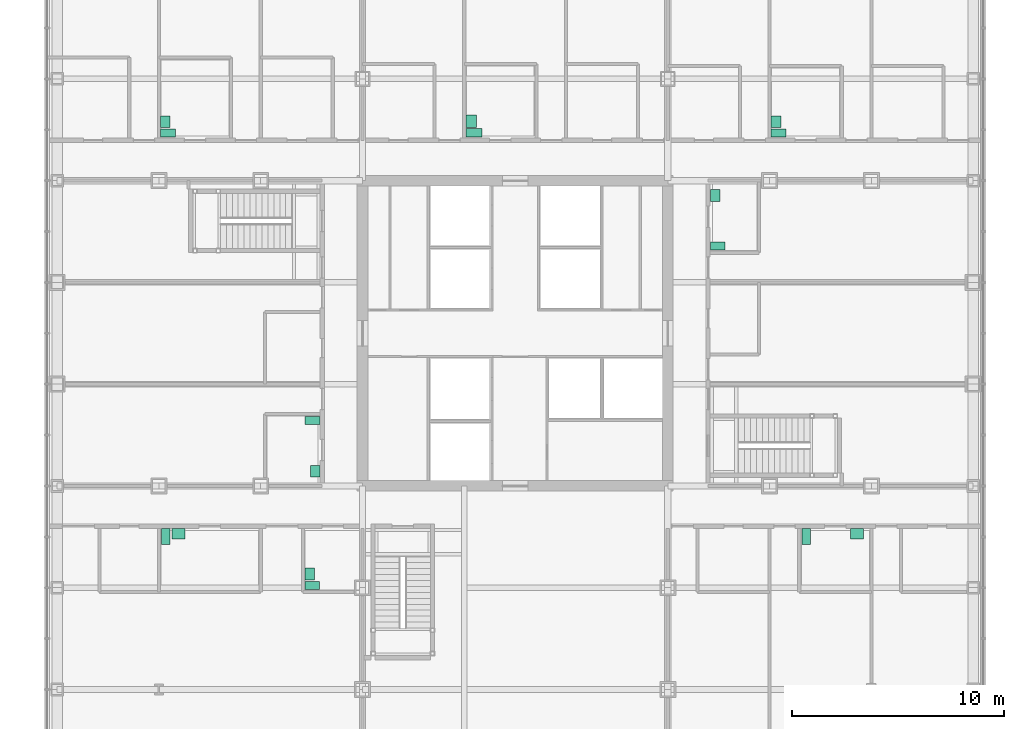
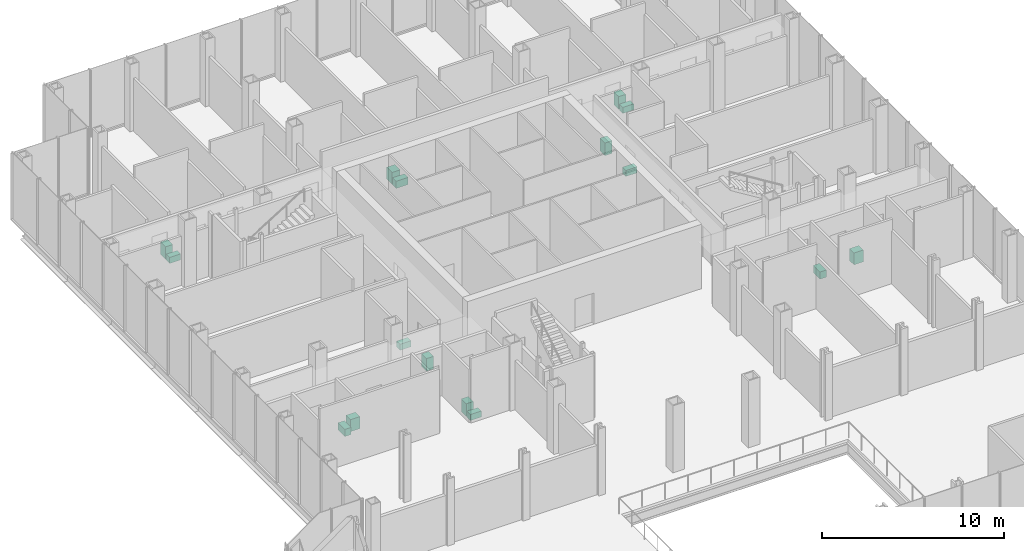
# One storey, part 25 of 25: 16 sanitary terminals.
"""IFC4 building model written with IfcOpenShell, lengths in metres."""

from ifc_helpers import new_model, si_unit, direction, frame, origin, origin_2d, place, context, subcontext, project, spatial, rectangle, extrude, material, type_object, element, save


model = new_model("IFC4")

# Units and contexts
model_context = context("Model", 3, precision=1e-05, world=origin(), true_north=direction((0.0, 1.0)))
body_context = subcontext(model_context, "Body", "Model", "MODEL_VIEW")
ifc_project = project(units=[si_unit("LENGTHUNIT", "METRE"), si_unit("AREAUNIT", "SQUARE_METRE"), si_unit("VOLUMEUNIT", "CUBIC_METRE"), si_unit("PLANEANGLEUNIT", "RADIAN"), si_unit("MASSUNIT", "GRAM", prefix="KILO")], contexts=[model_context])

# Site, building, storey
site_placement = place(None, origin())
site = spatial("IfcSite", under=ifc_project, at=site_placement, CompositionType="ELEMENT")
building_placement = place(site_placement, origin())
building = spatial("IfcBuilding", under=site, at=building_placement, Name="Kvirike Care Tower", CompositionType="ELEMENT")
storey_placement = place(building_placement, frame((0.0, 0.0, 13.5)))
storey = spatial("IfcBuildingStorey", under=building, at=storey_placement, Name="L03", CompositionType="ELEMENT", Elevation=13.5)

# Sanitary terminals
ifc_material_1 = material(Name="Vitreous china", Category="ceramic")
sanitary_terminal_type_1 = type_object("IfcSanitaryTerminalType", Name="ACCESSIBLE WASH BASIN 600 x 500", PredefinedType="WASHHANDBASIN", material=ifc_material_1)
for number, where, z_axis, x_axis, name in (
    (1, (5.72509765625, 26.548095703125, 0.02001953125), (0.0, 0.0, 1.0), (1.0, 0.0, 0.0), "Accessible wash basin L03-004"),
    (2, (19.527099609375, 46.0, 0.02001953125), (0.0, 0.0, 1.0), (0.0, 1.0, 0.0), "Accessible wash basin L03-027"),
    (3, (37.72509765625, 26.548095703125, 0.02001953125), (0.0, 0.0, 1.0), (1.0, 0.0, 0.0), "Accessible wash basin L03-034"),
):
    element("IfcSanitaryTerminal", number, at=place(storey_placement, frame(where, z_axis=z_axis, x_axis=x_axis)), inside=storey, type_object=sanitary_terminal_type_1, Name=name, PredefinedType="WASHHANDBASIN", context=body_context, shape_type="SweptSolid", body=[
        extrude(rectangle(XDim=0.60009765625, YDim=0.5, at=origin_2d()), origin(), (0.0, 0.0, 1.0), 0.800048828125),
    ])
ifc_material_2 = material(Name="Vitreous china", Category="ceramic")
sanitary_terminal_type_2 = type_object("IfcSanitaryTerminalType", Name="ACCESSIBLE WC PAN 400 x 750", PredefinedType="TOILETPAN", material=ifc_material_2)
for number, where, z_axis, x_axis, name in (
    (4, (5.125, 26.423095703125, 0.02001953125), (0.0, 0.0, 1.0), (1.0, 0.0, 0.0), "Accessible WC pan L03-004"),
    (5, (19.652099609375, 45.449951171875, 0.02001953125), (0.0, 0.0, 1.0), (0.0, 1.0, 0.0), "Accessible WC pan L03-027"),
    (6, (35.324951171875, 26.423095703125, 0.02001953125), (0.0, 0.0, 1.0), (1.0, 0.0, 0.0), "Accessible WC pan L03-034"),
):
    element("IfcSanitaryTerminal", number, at=place(storey_placement, frame(where, z_axis=z_axis, x_axis=x_axis)), inside=storey, type_object=sanitary_terminal_type_2, Name=name, PredefinedType="TOILETPAN", context=body_context, shape_type="SweptSolid", body=[
        extrude(rectangle(XDim=0.39990234375, YDim=0.75, at=origin_2d()), origin(), (0.0, 0.0, 1.0), 0.47998046875),
    ])
ifc_material_3 = material(Name="Vitreous china", Category="ceramic")
sanitary_terminal_type_3 = type_object("IfcSanitaryTerminalType", Name="WASH BASIN 550 x 450", PredefinedType="WASHHANDBASIN", material=ifc_material_3)
for number, where, z_axis, x_axis, name in (
    (7, (11.902099609375, 24.64990234375, 0.02001953125), (0.0, 0.0, 1.0), (0.0, 1.0, 0.0), "Wash basin L03-005"),
    (8, (12.173095703125, 29.5, 0.02001953125), (0.0, 0.0, 1.0), (0.0, -1.0, 0.0), "Wash basin L03-012"),
    (9, (5.10205078125, 45.97509765625, 0.02001953125), (0.0, 0.0, 1.0), (0.0, 1.0, 0.0), "Wash basin L03-018"),
    (10, (31.027099609375, 42.5, 0.02001953125), (0.0, 0.0, 1.0), (0.0, 1.0, 0.0), "Wash basin L03-042"),
    (11, (33.902099609375, 45.97509765625, 0.02001953125), (0.0, 0.0, 1.0), (0.0, 1.0, 0.0), "Wash basin L03-048"),
):
    element("IfcSanitaryTerminal", number, at=place(storey_placement, frame(where, z_axis=z_axis, x_axis=x_axis)), inside=storey, type_object=sanitary_terminal_type_3, Name=name, PredefinedType="WASHHANDBASIN", context=body_context, shape_type="SweptSolid", body=[
        extrude(rectangle(XDim=0.550048828125, YDim=0.449951171875, at=origin_2d()), origin(), (0.0, 0.0, 1.0), 0.85009765625),
    ])
ifc_material_4 = material(Name="Vitreous china", Category="ceramic")
sanitary_terminal_type_4 = type_object("IfcSanitaryTerminalType", Name="WC PAN 380 x 700", PredefinedType="TOILETPAN", material=ifc_material_4)
for number, where, z_axis, x_axis, name in (
    (12, (12.027099609375, 24.114990234375, 0.02001953125), (0.0, 0.0, 1.0), (0.0, 1.0, 0.0), "WC pan L03-005"),
    (13, (12.048095703125, 31.885009765625, 0.02001953125), (0.0, 0.0, 1.0), (0.0, -1.0, 0.0), "WC pan L03-012"),
    (14, (5.22705078125, 45.43994140625, 0.02001953125), (0.0, 0.0, 1.0), (0.0, 1.0, 0.0), "WC pan L03-018"),
    (15, (31.152099609375, 40.114990234375, 0.02001953125), (0.0, 0.0, 1.0), (0.0, 1.0, 0.0), "WC pan L03-042"),
    (16, (34.027099609375, 45.43994140625, 0.02001953125), (0.0, 0.0, 1.0), (0.0, 1.0, 0.0), "WC pan L03-048"),
):
    element("IfcSanitaryTerminal", number, at=place(storey_placement, frame(where, z_axis=z_axis, x_axis=x_axis)), inside=storey, type_object=sanitary_terminal_type_4, Name=name, PredefinedType="TOILETPAN", context=body_context, shape_type="SweptSolid", body=[
        extrude(rectangle(XDim=0.3798828125, YDim=0.699951171875, at=origin_2d()), origin(), (0.0, 0.0, 1.0), 0.39990234375),
    ])

save(model, "model.ifc")
